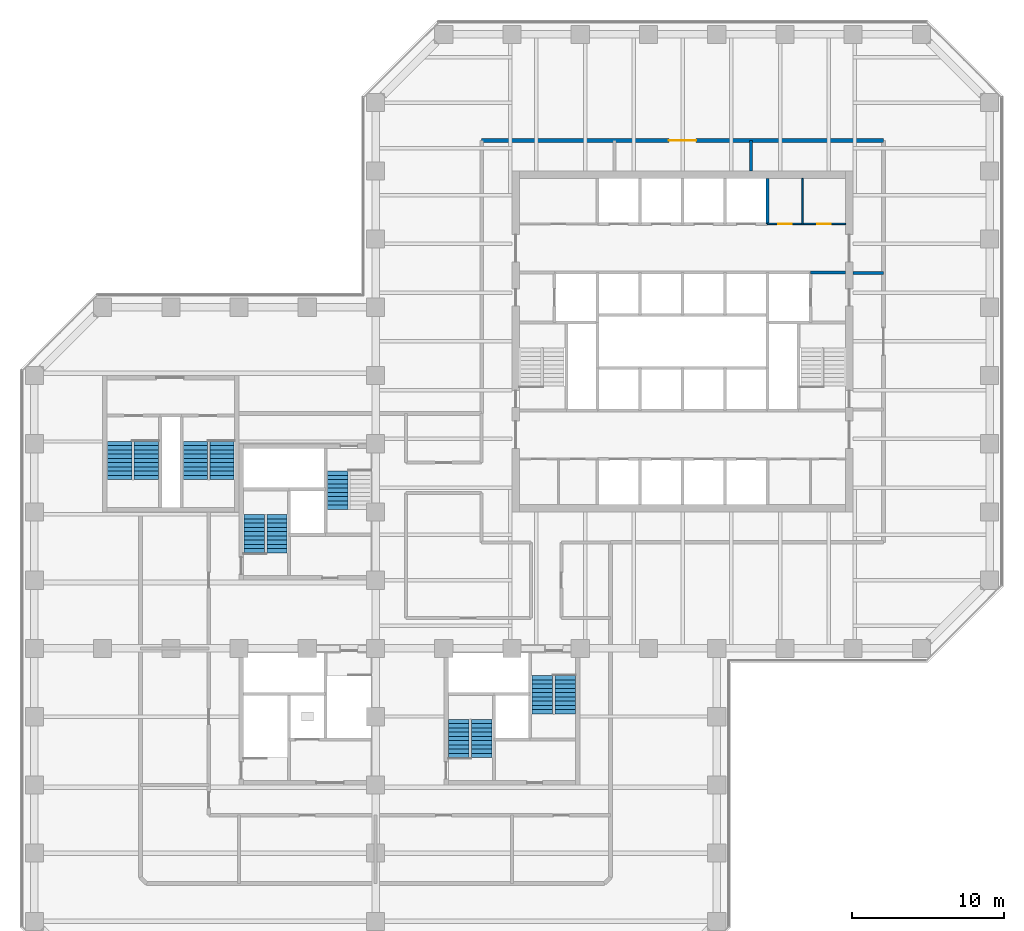
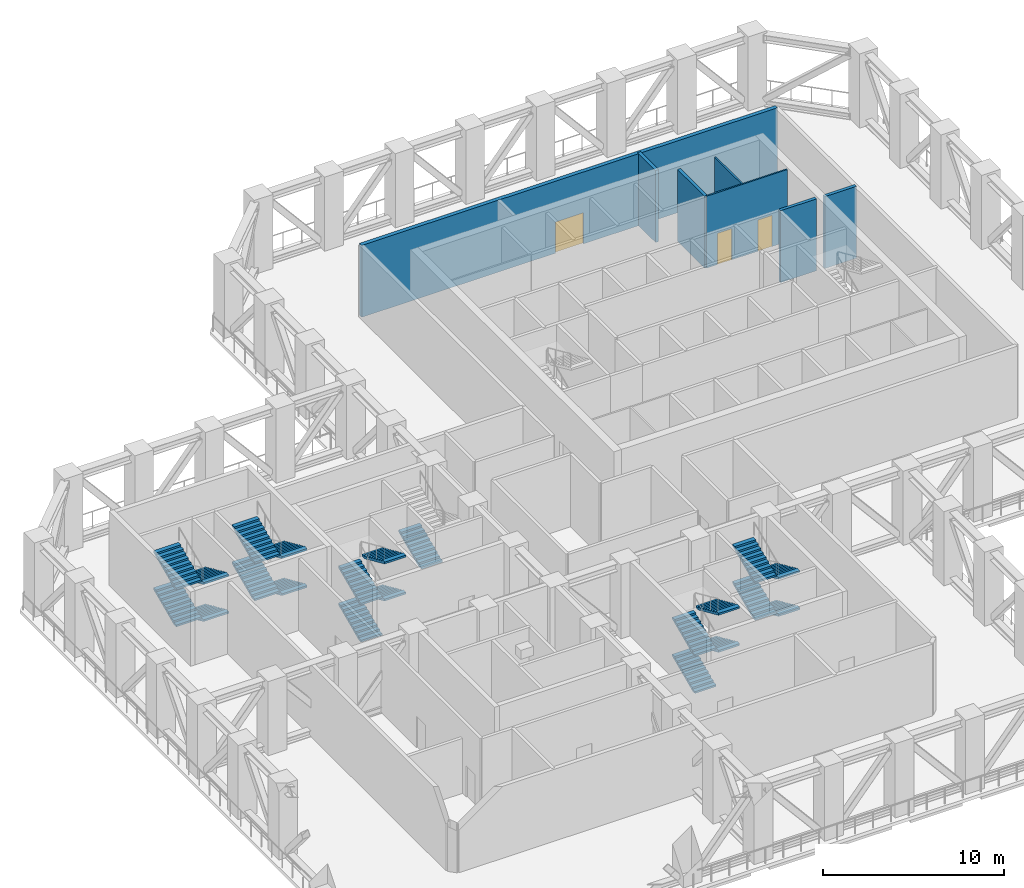
# One storey, part 8 of 16: 21 stair flights, 7 walls, 3 doors, 3 openings, 6 elements without a shape of their own.
"""IFC4 building model written with IfcOpenShell, lengths in metres."""

from ifc_helpers import new_model, si_unit, direction, frame, frame_2d, origin, place, context, subcontext, project, spatial, polyline, rectangle, outline, extrude, material, layer, layer_set, type_object, element, fill, aggregate, save


model = new_model("IFC4")

# Units and contexts
model_context = context("Model", 3, precision=1e-05, world=origin(), true_north=direction((0.0, 1.0)))
body_context = subcontext(model_context, "Body", "Model", "MODEL_VIEW")
ifc_project = project(units=[si_unit("LENGTHUNIT", "METRE"), si_unit("AREAUNIT", "SQUARE_METRE"), si_unit("VOLUMEUNIT", "CUBIC_METRE"), si_unit("PLANEANGLEUNIT", "RADIAN"), si_unit("MASSUNIT", "GRAM", prefix="KILO")], contexts=[model_context])

# Site, building, storey
site_placement = place(None, origin())
site = spatial("IfcSite", under=ifc_project, at=site_placement, CompositionType="ELEMENT")
building_placement = place(site_placement, origin())
building = spatial("IfcBuilding", under=site, at=building_placement, Name="Quoin Convention Tower", CompositionType="ELEMENT")
storey_placement = place(building_placement, frame((0.0, 0.0, 69.300048828125)))
storey = spatial("IfcBuildingStorey", under=building, at=storey_placement, Name="L18", CompositionType="ELEMENT", Elevation=69.300048828125)

# Wall, openings, doors
ifc_material_1 = material(Name="Plasterboard")
ifc_layer_1 = layer(ifc_material_1, 0.012451171875, Name="Finish")
ifc_material_2 = material(Name="Steel stud framing", Category="steel")
ifc_layer_2 = layer(ifc_material_2, 0.074951171875, Name="Structure")
ifc_layer_3 = layer(ifc_material_1, 0.012451171875, Name="Finish")
ifc_layer_set_1 = layer_set([ifc_layer_1, ifc_layer_2, ifc_layer_3], Name="Steel stud framing")
wall_type_1 = type_object("IfcWallType", Name="Core partition wall", PredefinedType="PARTITIONING", material=ifc_layer_set_1)
wall_1_placement = place(storey_placement, frame((61.85009765625, 68.5, 0.0), z_axis=(0.0, 0.0, 1.0), x_axis=(1.0, 0.0, 0.0)))
wall_1 = element("IfcWall", 1, at=wall_1_placement, inside=storey, type_object=wall_type_1, Name="cr-C1-L18-h19000_16850", PredefinedType="PARTITIONING", context=body_context, shape_type="SweptSolid", body=[
    extrude(rectangle(XDim=5.14990234375, YDim=0.10009765625, at=frame_2d((2.574951171875, 0.0))), origin(), (0.0, 0.0, 1.0), 4.849853515625),
])
opening_1_placement = place(wall_1_placement, frame((3.28369140625, 0.0, 0.0)))
opening_1 = element("IfcOpeningElement", 2, at=opening_1_placement, cuts=wall_1, Name="Opening DCV0-08", PredefinedType="OPENING", context=body_context, shape_type="SweptSolid", body=[
    extrude(rectangle(XDim=0.89990234375, YDim=2.10009765625, at=frame_2d((0.449951171875, 1.050048828125))), frame((0.0, 0.06005859375, 0.0), z_axis=(0.0, -1.0, 0.0), x_axis=(1.0, 0.0, 0.0)), (0.0, 0.0, 1.0), 0.1201171875),
])
opening_2_placement = place(wall_1_placement, frame((0.708740234375, 0.0, 0.0)))
opening_2 = element("IfcOpeningElement", 3, at=opening_2_placement, cuts=wall_1, Name="Opening DCV0-05", PredefinedType="OPENING", context=body_context, shape_type="SweptSolid", body=[
    extrude(rectangle(XDim=0.89990234375, YDim=2.10009765625, at=frame_2d((0.449951171875, 1.050048828125))), frame((0.0, 0.06005859375, 0.0), z_axis=(0.0, -1.0, 0.0), x_axis=(1.0, 0.0, 0.0)), (0.0, 0.0, 1.0), 0.1201171875),
])
ifc_material_3 = material(Name="Steel door leaf", Category="steel")
door_type_1 = type_object("IfcDoorType", Name="Core room door 900 x 2100", OperationType="SINGLE_SWING_LEFT", PredefinedType="DOOR", material=ifc_material_3)
door_1_placement = place(opening_1_placement, origin())
door_1 = element("IfcDoor", 4, at=door_1_placement, inside=storey, type_object=door_type_1, Name="cd-C1-L18-CNE0-lobB-CD1807", OperationType="SINGLE_SWING_RIGHT", OverallHeight=2.10009765625, OverallWidth=0.89990234375, PredefinedType="DOOR", context=body_context, shape_type="SweptSolid", body=[
    extrude(rectangle(XDim=0.89990234375, YDim=2.10009765625, at=frame_2d((0.449951171875, 1.050048828125))), frame((0.0, 0.02490234375, 0.0), z_axis=(0.0, -1.0, 0.0), x_axis=(1.0, 0.0, 0.0)), (0.0, 0.0, 1.0), 0.050048828125),
])
fill(opening_1, door_1)
door_2_placement = place(opening_2_placement, origin())
door_2 = element("IfcDoor", 5, at=door_2_placement, inside=storey, type_object=door_type_1, Name="cd-C1-L18-CNE1-lobB-CD1808", OperationType="SINGLE_SWING_LEFT", OverallHeight=2.10009765625, OverallWidth=0.89990234375, PredefinedType="DOOR", context=body_context, shape_type="SweptSolid", body=[
    extrude(rectangle(XDim=0.89990234375, YDim=2.10009765625, at=frame_2d((0.449951171875, 1.050048828125))), frame((0.0, 0.02490234375, 0.0), z_axis=(0.0, -1.0, 0.0), x_axis=(1.0, 0.0, 0.0)), (0.0, 0.0, 1.0), 0.050048828125),
])
fill(opening_2, door_2)

# Walls
wall_2_placement = place(storey_placement, frame((64.16748046875, 68.5, 0.0), z_axis=(0.0, 0.0, 1.0), x_axis=(0.0, 1.0, 0.0)))
element("IfcWall", 6, at=wall_2_placement, inside=storey, type_object=wall_type_1, Name="cr-C1-L18-v19168_19000", PredefinedType="PARTITIONING", context=body_context, shape_type="SweptSolid", body=[
    extrude(rectangle(XDim=3.0, YDim=0.10009765625, at=frame_2d((1.5, 0.0))), origin(), (0.0, 0.0, 1.0), 4.849853515625),
])
ifc_material_4 = material(Name="Concrete C50", Category="concrete")
ifc_layer_4 = layer(ifc_material_4, 0.199951171875)
ifc_layer_set_2 = layer_set([ifc_layer_4], Name="Concrete C50")
wall_type_2 = type_object("IfcWallType", Name="Core shaft wall", PredefinedType="SOLIDWALL", material=ifc_layer_set_2)
wall_3_placement = place(storey_placement, frame((64.699951171875, 65.300048828125, 0.0), z_axis=(0.0, 0.0, 1.0), x_axis=(1.0, 0.0, 0.0)))
element("IfcWall", 7, at=wall_3_placement, inside=storey, type_object=wall_type_2, Name="cr-C1-L18-h15800_19700", PredefinedType="SOLIDWALL", context=body_context, shape_type="SweptSolid", body=[
    extrude(rectangle(XDim=2.300048828125, YDim=0.199951171875, at=frame_2d((1.14990234375, 0.0))), origin(), (0.0, 0.0, 1.0), 4.849853515625),
])
wall_4_placement = place(storey_placement, frame((61.85009765625, 68.5, 0.0), z_axis=(0.0, 0.0, 1.0), x_axis=(0.0, 1.0, 0.0)))
element("IfcWall", 8, at=wall_4_placement, inside=storey, type_object=wall_type_2, Name="cr-C1-L18-v16850_19000", PredefinedType="SOLIDWALL", context=body_context, shape_type="SweptSolid", body=[
    extrude(rectangle(XDim=3.0, YDim=0.199951171875, at=frame_2d((1.5, 0.0))), origin(), (0.0, 0.0, 1.0), 4.849853515625),
])
ifc_layer_5 = layer(ifc_material_1, 0.012451171875, Name="Finish")
ifc_layer_6 = layer(ifc_material_2, 0.175048828125, Name="Structure")
ifc_layer_7 = layer(ifc_material_1, 0.012451171875, Name="Finish")
ifc_layer_set_3 = layer_set([ifc_layer_5, ifc_layer_6, ifc_layer_7], Name="Steel stud framing")
wall_type_3 = type_object("IfcWallType", Name="plant room wall", PredefinedType="PARTITIONING", material=ifc_layer_set_3)
for number, where, z_axis, x_axis, name in (
    (9, (67.5, 65.25, 0.0), (0.0, 0.0, 1.0), (1.0, 0.0, 0.0), "pw-L18-033"),
    (10, (60.75, 72.0, 0.0), (0.0, 0.0, 1.0), (0.0, 1.0, 0.0), "pw-L18-035"),
):
    element("IfcWall", number, at=place(storey_placement, frame(where, z_axis=z_axis, x_axis=x_axis)), inside=storey, type_object=wall_type_3, Name=name, PredefinedType="PARTITIONING", context=body_context, shape_type="SweptSolid", body=[
        extrude(rectangle(XDim=2.0, YDim=0.199951171875, at=frame_2d((1.0, 0.0))), origin(), (0.0, 0.0, 1.0), 4.849853515625),
    ])

# Wall, opening, door
ifc_layer_8 = layer(ifc_material_1, 0.012451171875, Name="Finish")
ifc_layer_9 = layer(ifc_material_2, 0.22509765625, Name="Structure")
ifc_layer_10 = layer(ifc_material_1, 0.012451171875, Name="Finish")
ifc_layer_set_4 = layer_set([ifc_layer_8, ifc_layer_9, ifc_layer_10], Name="Steel stud framing")
wall_type_4 = type_object("IfcWallType", Name="refuge enclosure wall", PredefinedType="PARTITIONING", material=ifc_layer_set_4)
wall_5_placement = place(storey_placement, frame((43.0, 74.0, 0.0), z_axis=(0.0, 0.0, 1.0), x_axis=(1.0, 0.0, 0.0)))
wall_5 = element("IfcWall", 11, at=wall_5_placement, inside=storey, type_object=wall_type_4, Name="pw-L18-011", PredefinedType="PARTITIONING", context=body_context, shape_type="SweptSolid", body=[
    extrude(rectangle(XDim=26.5, YDim=0.25, at=frame_2d((13.25, 0.0))), origin(), (0.0, 0.0, 1.0), 4.849853515625),
])
opening_3_placement = place(wall_5_placement, frame((12.35009765625, 0.0, 0.0)))
opening_3 = element("IfcOpeningElement", 12, at=opening_3_placement, cuts=wall_5, Name="Opening DREFUGE-R1-02", PredefinedType="OPENING", context=body_context, shape_type="SweptSolid", body=[
    extrude(rectangle(XDim=1.800048828125, YDim=2.10009765625, at=frame_2d((0.89990234375, 1.050048828125))), frame((0.0, 0.135009765625, 0.0), z_axis=(0.0, -1.0, 0.0), x_axis=(1.0, 0.0, 0.0)), (0.0, 0.0, 1.0), 0.27001953125),
])
door_type_2 = type_object("IfcDoorType", Name="Refuge door", OperationType="SINGLE_SWING_LEFT", PredefinedType="DOOR", material=ifc_material_3)
door_3_placement = place(opening_3_placement, frame((1.800048828125, 0.0, 0.0), z_axis=(0.0, 0.0, 1.0), x_axis=(-1.0, 0.0, 0.0)))
door_3 = element("IfcDoor", 13, at=door_3_placement, inside=storey, type_object=door_type_2, Name="dr-L18-001", OperationType="SINGLE_SWING_LEFT", OverallHeight=2.10009765625, OverallWidth=1.800048828125, PredefinedType="DOOR", context=body_context, shape_type="SweptSolid", body=[
    extrude(rectangle(XDim=1.800048828125, YDim=2.10009765625, at=frame_2d((0.89990234375, 1.050048828125))), frame((0.0, 0.02490234375, 0.0), z_axis=(0.0, -1.0, 0.0), x_axis=(1.0, 0.0, 0.0)), (0.0, 0.0, 1.0), 0.050048828125),
])
fill(opening_3, door_3)

# Stair, stair flights
ifc_material_5 = material(Name="Concrete C40", Category="concrete")
stair_type_1 = type_object("IfcStairType", Name="Exit stair four-flight 1350", PredefinedType="DOUBLE_RETURN_STAIR", material=ifc_material_5)
stair_1_placement = place(storey_placement, origin())
stair_1 = element("IfcStair", 14, at=stair_1_placement, inside=storey, type_object=stair_type_1, Name="SD3 L18", PredefinedType="DOUBLE_RETURN_STAIR")
stair_flight_type_1 = type_object("IfcStairFlightType", Name="Stair flight 1350", PredefinedType="STRAIGHT", material=ifc_material_5)
stair_flight_1_placement = place(storey_placement, frame((28.0, 46.800048828125, 0.0), z_axis=(0.0, 0.0, 1.0), x_axis=(0.0, 1.0, 0.0)))
stair_flight_1 = element("IfcStairFlight", 15, at=stair_flight_1_placement, type_object=stair_flight_type_1, Name="ST3 flight 1", NumberOfRisers=10, NumberOfTreads=9, PredefinedType="STRAIGHT", RiserHeight=0.125, TreadLength=0.28, context=body_context, shape_type="SweptSolid", body=[
    extrude(outline(polyline([(0.0, 0.0), (0.0, 0.125), (0.280029296875, 0.125), (0.280029296875, 0.25), (0.56005859375, 0.25), (0.56005859375, 0.375), (0.840087890625, 0.375), (0.840087890625, 0.5), (1.1201171875, 0.5), (1.1201171875, 0.625), (1.39990234375, 0.625), (1.39990234375, 0.75), (1.679931640625, 0.75), (1.679931640625, 0.875), (1.9599609375, 0.875), (1.9599609375, 1.0), (2.239990234375, 1.0), (2.239990234375, 1.125), (2.52001953125, 1.125), (2.52001953125, 1.25), (2.52001953125, 0.993408203125), (0.294677734375, 0.0), (0.0, 0.0)])), frame((0.0, 0.675048828125, 0.0), z_axis=(0.0, -1.0, 0.0), x_axis=(1.0, 0.0, 0.0)), (0.0, 0.0, 1.0), 1.35009765625),
])
stair_flight_2_placement = place(storey_placement, frame((29.5, 49.320068359375, 1.25), z_axis=(0.0, 0.0, 1.0), x_axis=(0.0, -1.0, 0.0)))
stair_flight_2 = element("IfcStairFlight", 16, at=stair_flight_2_placement, type_object=stair_flight_type_1, Name="ST3 flight 2", NumberOfRisers=10, NumberOfTreads=9, PredefinedType="STRAIGHT", RiserHeight=0.125, TreadLength=0.28, context=body_context, shape_type="SweptSolid", body=[
    extrude(outline(polyline([(0.0, 0.0), (0.0, 0.125), (0.280029296875, 0.125), (0.280029296875, 0.25), (0.56005859375, 0.25), (0.56005859375, 0.375), (0.840087890625, 0.375), (0.840087890625, 0.5), (1.1201171875, 0.5), (1.1201171875, 0.625), (1.39990234375, 0.625), (1.39990234375, 0.75), (1.679931640625, 0.75), (1.679931640625, 0.875), (1.9599609375, 0.875), (1.9599609375, 1.0), (2.239990234375, 1.0), (2.239990234375, 1.125), (2.52001953125, 1.125), (2.52001953125, 1.25), (2.52001953125, 0.993408203125), (0.294677734375, 0.0), (0.0, 0.0)])), frame((0.0, 0.675048828125, 0.0), z_axis=(0.0, -1.0, 0.0), x_axis=(1.0, 0.0, 0.0)), (0.0, 0.0, 1.0), 1.35009765625),
])
stair_flight_3_placement = place(storey_placement, frame((28.0, 46.800048828125, 2.5), z_axis=(0.0, 0.0, 1.0), x_axis=(0.0, 1.0, 0.0)))
stair_flight_3 = element("IfcStairFlight", 17, at=stair_flight_3_placement, type_object=stair_flight_type_1, Name="ST3 flight 3", NumberOfRisers=10, NumberOfTreads=9, PredefinedType="STRAIGHT", RiserHeight=0.125, TreadLength=0.28, context=body_context, shape_type="SweptSolid", body=[
    extrude(outline(polyline([(0.0, 0.0), (0.0, 0.125), (0.280029296875, 0.125), (0.280029296875, 0.25), (0.56005859375, 0.25), (0.56005859375, 0.375), (0.840087890625, 0.375), (0.840087890625, 0.5), (1.1201171875, 0.5), (1.1201171875, 0.625), (1.39990234375, 0.625), (1.39990234375, 0.75), (1.679931640625, 0.75), (1.679931640625, 0.875), (1.9599609375, 0.875), (1.9599609375, 1.0), (2.239990234375, 1.0), (2.239990234375, 1.125), (2.52001953125, 1.125), (2.52001953125, 1.25), (2.52001953125, 0.993408203125), (0.294677734375, 0.0), (0.0, 0.0)])), frame((0.0, 0.675048828125, 0.0), z_axis=(0.0, -1.0, 0.0), x_axis=(1.0, 0.0, 0.0)), (0.0, 0.0, 1.0), 1.35009765625),
])
stair_flight_4_placement = place(storey_placement, frame((29.5, 49.320068359375, 3.75), z_axis=(0.0, 0.0, 1.0), x_axis=(0.0, -1.0, 0.0)))
stair_flight_4 = element("IfcStairFlight", 18, at=stair_flight_4_placement, type_object=stair_flight_type_1, Name="ST3 flight 4", NumberOfRisers=10, NumberOfTreads=9, PredefinedType="STRAIGHT", RiserHeight=0.125, TreadLength=0.28, context=body_context, shape_type="SweptSolid", body=[
    extrude(outline(polyline([(0.0, 0.0), (0.0, 0.125), (0.280029296875, 0.125), (0.280029296875, 0.25), (0.56005859375, 0.25), (0.56005859375, 0.375), (0.840087890625, 0.375), (0.840087890625, 0.5), (1.1201171875, 0.5), (1.1201171875, 0.625), (1.39990234375, 0.625), (1.39990234375, 0.75), (1.679931640625, 0.75), (1.679931640625, 0.875), (1.9599609375, 0.875), (1.9599609375, 1.0), (2.239990234375, 1.0), (2.239990234375, 1.125), (2.52001953125, 1.125), (2.52001953125, 1.25), (2.52001953125, 0.993408203125), (0.294677734375, 0.0), (0.0, 0.0)])), frame((0.0, 0.675048828125, 0.0), z_axis=(0.0, -1.0, 0.0), x_axis=(1.0, 0.0, 0.0)), (0.0, 0.0, 1.0), 1.35009765625),
])
aggregate(stair_1, [stair_flight_1, stair_flight_2, stair_flight_3, stair_flight_4])

# Stair, stair flight
stair_2_placement = place(storey_placement, origin())
stair_2 = element("IfcStair", 19, at=stair_2_placement, inside=storey, type_object=stair_type_1, Name="SD4 L18", PredefinedType="DOUBLE_RETURN_STAIR")
stair_flight_5_placement = place(storey_placement, frame((33.5, 49.679931640625, 1.25), z_axis=(0.0, 0.0, 1.0), x_axis=(0.0, 1.0, 0.0)))
stair_flight_5 = element("IfcStairFlight", 20, at=stair_flight_5_placement, type_object=stair_flight_type_1, Name="ST4 flight 2", NumberOfRisers=10, NumberOfTreads=9, PredefinedType="STRAIGHT", RiserHeight=0.125, TreadLength=0.28, context=body_context, shape_type="SweptSolid", body=[
    extrude(outline(polyline([(0.0, 0.0), (0.0, 0.125), (0.280029296875, 0.125), (0.280029296875, 0.25), (0.56005859375, 0.25), (0.56005859375, 0.375), (0.840087890625, 0.375), (0.840087890625, 0.5), (1.1201171875, 0.5), (1.1201171875, 0.625), (1.39990234375, 0.625), (1.39990234375, 0.75), (1.679931640625, 0.75), (1.679931640625, 0.875), (1.9599609375, 0.875), (1.9599609375, 1.0), (2.239990234375, 1.0), (2.239990234375, 1.125), (2.52001953125, 1.125), (2.52001953125, 1.25), (2.52001953125, 0.993408203125), (0.294677734375, 0.0), (0.0, 0.0)])), frame((0.0, 0.675048828125, 0.0), z_axis=(0.0, -1.0, 0.0), x_axis=(1.0, 0.0, 0.0)), (0.0, 0.0, 1.0), 1.35009765625),
])
aggregate(stair_2, [stair_flight_5])

# Stair, stair flights
stair_3_placement = place(storey_placement, origin())
stair_3 = element("IfcStair", 21, at=stair_3_placement, inside=storey, type_object=stair_type_1, Name="SD5 L18", PredefinedType="DOUBLE_RETURN_STAIR")
stair_flight_6_placement = place(storey_placement, frame((41.5, 33.300048828125, 0.0), z_axis=(0.0, 0.0, 1.0), x_axis=(0.0, 1.0, 0.0)))
stair_flight_6 = element("IfcStairFlight", 22, at=stair_flight_6_placement, type_object=stair_flight_type_1, Name="ST5 flight 1", NumberOfRisers=10, NumberOfTreads=9, PredefinedType="STRAIGHT", RiserHeight=0.125, TreadLength=0.28, context=body_context, shape_type="SweptSolid", body=[
    extrude(outline(polyline([(0.0, 0.0), (0.0, 0.125), (0.280029296875, 0.125), (0.280029296875, 0.25), (0.56005859375, 0.25), (0.56005859375, 0.375), (0.840087890625, 0.375), (0.840087890625, 0.5), (1.1201171875, 0.5), (1.1201171875, 0.625), (1.39990234375, 0.625), (1.39990234375, 0.75), (1.679931640625, 0.75), (1.679931640625, 0.875), (1.9599609375, 0.875), (1.9599609375, 1.0), (2.239990234375, 1.0), (2.239990234375, 1.125), (2.52001953125, 1.125), (2.52001953125, 1.25), (2.52001953125, 0.993408203125), (0.294677734375, 0.0), (0.0, 0.0)])), frame((0.0, 0.675048828125, 0.0), z_axis=(0.0, -1.0, 0.0), x_axis=(1.0, 0.0, 0.0)), (0.0, 0.0, 1.0), 1.35009765625),
])
stair_flight_7_placement = place(storey_placement, frame((43.0, 35.820068359375, 1.25), z_axis=(0.0, 0.0, 1.0), x_axis=(0.0, -1.0, 0.0)))
stair_flight_7 = element("IfcStairFlight", 23, at=stair_flight_7_placement, type_object=stair_flight_type_1, Name="ST5 flight 2", NumberOfRisers=10, NumberOfTreads=9, PredefinedType="STRAIGHT", RiserHeight=0.125, TreadLength=0.28, context=body_context, shape_type="SweptSolid", body=[
    extrude(outline(polyline([(0.0, 0.0), (0.0, 0.125), (0.280029296875, 0.125), (0.280029296875, 0.25), (0.56005859375, 0.25), (0.56005859375, 0.375), (0.840087890625, 0.375), (0.840087890625, 0.5), (1.1201171875, 0.5), (1.1201171875, 0.625), (1.39990234375, 0.625), (1.39990234375, 0.75), (1.679931640625, 0.75), (1.679931640625, 0.875), (1.9599609375, 0.875), (1.9599609375, 1.0), (2.239990234375, 1.0), (2.239990234375, 1.125), (2.52001953125, 1.125), (2.52001953125, 1.25), (2.52001953125, 0.993408203125), (0.294677734375, 0.0), (0.0, 0.0)])), frame((0.0, 0.675048828125, 0.0), z_axis=(0.0, -1.0, 0.0), x_axis=(1.0, 0.0, 0.0)), (0.0, 0.0, 1.0), 1.35009765625),
])
stair_flight_8_placement = place(storey_placement, frame((41.5, 33.300048828125, 2.5), z_axis=(0.0, 0.0, 1.0), x_axis=(0.0, 1.0, 0.0)))
stair_flight_8 = element("IfcStairFlight", 24, at=stair_flight_8_placement, type_object=stair_flight_type_1, Name="ST5 flight 3", NumberOfRisers=10, NumberOfTreads=9, PredefinedType="STRAIGHT", RiserHeight=0.125, TreadLength=0.28, context=body_context, shape_type="SweptSolid", body=[
    extrude(outline(polyline([(0.0, 0.0), (0.0, 0.125), (0.280029296875, 0.125), (0.280029296875, 0.25), (0.56005859375, 0.25), (0.56005859375, 0.375), (0.840087890625, 0.375), (0.840087890625, 0.5), (1.1201171875, 0.5), (1.1201171875, 0.625), (1.39990234375, 0.625), (1.39990234375, 0.75), (1.679931640625, 0.75), (1.679931640625, 0.875), (1.9599609375, 0.875), (1.9599609375, 1.0), (2.239990234375, 1.0), (2.239990234375, 1.125), (2.52001953125, 1.125), (2.52001953125, 1.25), (2.52001953125, 0.993408203125), (0.294677734375, 0.0), (0.0, 0.0)])), frame((0.0, 0.675048828125, 0.0), z_axis=(0.0, -1.0, 0.0), x_axis=(1.0, 0.0, 0.0)), (0.0, 0.0, 1.0), 1.35009765625),
])
stair_flight_9_placement = place(storey_placement, frame((43.0, 35.820068359375, 3.75), z_axis=(0.0, 0.0, 1.0), x_axis=(0.0, -1.0, 0.0)))
stair_flight_9 = element("IfcStairFlight", 25, at=stair_flight_9_placement, type_object=stair_flight_type_1, Name="ST5 flight 4", NumberOfRisers=10, NumberOfTreads=9, PredefinedType="STRAIGHT", RiserHeight=0.125, TreadLength=0.28, context=body_context, shape_type="SweptSolid", body=[
    extrude(outline(polyline([(0.0, 0.0), (0.0, 0.125), (0.280029296875, 0.125), (0.280029296875, 0.25), (0.56005859375, 0.25), (0.56005859375, 0.375), (0.840087890625, 0.375), (0.840087890625, 0.5), (1.1201171875, 0.5), (1.1201171875, 0.625), (1.39990234375, 0.625), (1.39990234375, 0.75), (1.679931640625, 0.75), (1.679931640625, 0.875), (1.9599609375, 0.875), (1.9599609375, 1.0), (2.239990234375, 1.0), (2.239990234375, 1.125), (2.52001953125, 1.125), (2.52001953125, 1.25), (2.52001953125, 0.993408203125), (0.294677734375, 0.0), (0.0, 0.0)])), frame((0.0, 0.675048828125, 0.0), z_axis=(0.0, -1.0, 0.0), x_axis=(1.0, 0.0, 0.0)), (0.0, 0.0, 1.0), 1.35009765625),
])
aggregate(stair_3, [stair_flight_6, stair_flight_7, stair_flight_8, stair_flight_9])

stair_4_placement = place(storey_placement, origin())
stair_4 = element("IfcStair", 26, at=stair_4_placement, inside=storey, type_object=stair_type_1, Name="SD6 L18", PredefinedType="DOUBLE_RETURN_STAIR")
stair_flight_10_placement = place(storey_placement, frame((48.5, 38.699951171875, 0.0), z_axis=(0.0, 0.0, 1.0), x_axis=(0.0, -1.0, 0.0)))
stair_flight_10 = element("IfcStairFlight", 27, at=stair_flight_10_placement, type_object=stair_flight_type_1, Name="ST6 flight 1", NumberOfRisers=10, NumberOfTreads=9, PredefinedType="STRAIGHT", RiserHeight=0.125, TreadLength=0.28, context=body_context, shape_type="SweptSolid", body=[
    extrude(outline(polyline([(0.0, 0.0), (0.0, 0.125), (0.280029296875, 0.125), (0.280029296875, 0.25), (0.56005859375, 0.25), (0.56005859375, 0.375), (0.840087890625, 0.375), (0.840087890625, 0.5), (1.1201171875, 0.5), (1.1201171875, 0.625), (1.39990234375, 0.625), (1.39990234375, 0.75), (1.679931640625, 0.75), (1.679931640625, 0.875), (1.9599609375, 0.875), (1.9599609375, 1.0), (2.239990234375, 1.0), (2.239990234375, 1.125), (2.52001953125, 1.125), (2.52001953125, 1.25), (2.52001953125, 0.993408203125), (0.294677734375, 0.0), (0.0, 0.0)])), frame((0.0, 0.675048828125, 0.0), z_axis=(0.0, -1.0, 0.0), x_axis=(1.0, 0.0, 0.0)), (0.0, 0.0, 1.0), 1.35009765625),
])
stair_flight_11_placement = place(storey_placement, frame((47.0, 36.179931640625, 1.25), z_axis=(0.0, 0.0, 1.0), x_axis=(0.0, 1.0, 0.0)))
stair_flight_11 = element("IfcStairFlight", 28, at=stair_flight_11_placement, type_object=stair_flight_type_1, Name="ST6 flight 2", NumberOfRisers=10, NumberOfTreads=9, PredefinedType="STRAIGHT", RiserHeight=0.125, TreadLength=0.28, context=body_context, shape_type="SweptSolid", body=[
    extrude(outline(polyline([(0.0, 0.0), (0.0, 0.125), (0.280029296875, 0.125), (0.280029296875, 0.25), (0.56005859375, 0.25), (0.56005859375, 0.375), (0.840087890625, 0.375), (0.840087890625, 0.5), (1.1201171875, 0.5), (1.1201171875, 0.625), (1.39990234375, 0.625), (1.39990234375, 0.75), (1.679931640625, 0.75), (1.679931640625, 0.875), (1.9599609375, 0.875), (1.9599609375, 1.0), (2.239990234375, 1.0), (2.239990234375, 1.125), (2.52001953125, 1.125), (2.52001953125, 1.25), (2.52001953125, 0.993408203125), (0.294677734375, 0.0), (0.0, 0.0)])), frame((0.0, 0.675048828125, 0.0), z_axis=(0.0, -1.0, 0.0), x_axis=(1.0, 0.0, 0.0)), (0.0, 0.0, 1.0), 1.35009765625),
])
stair_flight_12_placement = place(storey_placement, frame((48.5, 38.699951171875, 2.5), z_axis=(0.0, 0.0, 1.0), x_axis=(0.0, -1.0, 0.0)))
stair_flight_12 = element("IfcStairFlight", 29, at=stair_flight_12_placement, type_object=stair_flight_type_1, Name="ST6 flight 3", NumberOfRisers=10, NumberOfTreads=9, PredefinedType="STRAIGHT", RiserHeight=0.125, TreadLength=0.28, context=body_context, shape_type="SweptSolid", body=[
    extrude(outline(polyline([(0.0, 0.0), (0.0, 0.125), (0.280029296875, 0.125), (0.280029296875, 0.25), (0.56005859375, 0.25), (0.56005859375, 0.375), (0.840087890625, 0.375), (0.840087890625, 0.5), (1.1201171875, 0.5), (1.1201171875, 0.625), (1.39990234375, 0.625), (1.39990234375, 0.75), (1.679931640625, 0.75), (1.679931640625, 0.875), (1.9599609375, 0.875), (1.9599609375, 1.0), (2.239990234375, 1.0), (2.239990234375, 1.125), (2.52001953125, 1.125), (2.52001953125, 1.25), (2.52001953125, 0.993408203125), (0.294677734375, 0.0), (0.0, 0.0)])), frame((0.0, 0.675048828125, 0.0), z_axis=(0.0, -1.0, 0.0), x_axis=(1.0, 0.0, 0.0)), (0.0, 0.0, 1.0), 1.35009765625),
])
stair_flight_13_placement = place(storey_placement, frame((47.0, 36.179931640625, 3.75), z_axis=(0.0, 0.0, 1.0), x_axis=(0.0, 1.0, 0.0)))
stair_flight_13 = element("IfcStairFlight", 30, at=stair_flight_13_placement, type_object=stair_flight_type_1, Name="ST6 flight 4", NumberOfRisers=10, NumberOfTreads=9, PredefinedType="STRAIGHT", RiserHeight=0.125, TreadLength=0.28, context=body_context, shape_type="SweptSolid", body=[
    extrude(outline(polyline([(0.0, 0.0), (0.0, 0.125), (0.280029296875, 0.125), (0.280029296875, 0.25), (0.56005859375, 0.25), (0.56005859375, 0.375), (0.840087890625, 0.375), (0.840087890625, 0.5), (1.1201171875, 0.5), (1.1201171875, 0.625), (1.39990234375, 0.625), (1.39990234375, 0.75), (1.679931640625, 0.75), (1.679931640625, 0.875), (1.9599609375, 0.875), (1.9599609375, 1.0), (2.239990234375, 1.0), (2.239990234375, 1.125), (2.52001953125, 1.125), (2.52001953125, 1.25), (2.52001953125, 0.993408203125), (0.294677734375, 0.0), (0.0, 0.0)])), frame((0.0, 0.675048828125, 0.0), z_axis=(0.0, -1.0, 0.0), x_axis=(1.0, 0.0, 0.0)), (0.0, 0.0, 1.0), 1.35009765625),
])
aggregate(stair_4, [stair_flight_10, stair_flight_11, stair_flight_12, stair_flight_13])

stair_type_2 = type_object("IfcStairType", Name="Exit stair four-flight 1600", PredefinedType="DOUBLE_RETURN_STAIR", material=ifc_material_5)
stair_5_placement = place(storey_placement, origin())
stair_5 = element("IfcStair", 31, at=stair_5_placement, inside=storey, type_object=stair_type_2, Name="SD11 L18", PredefinedType="DOUBLE_RETURN_STAIR")
stair_flight_type_2 = type_object("IfcStairFlightType", Name="Stair flight 1600", PredefinedType="STRAIGHT", material=ifc_material_5)
stair_flight_14_placement = place(storey_placement, frame((20.875, 54.14990234375, 0.0), z_axis=(0.0, 0.0, 1.0), x_axis=(0.0, -1.0, 0.0)))
stair_flight_14 = element("IfcStairFlight", 32, at=stair_flight_14_placement, type_object=stair_flight_type_2, Name="ST11 flight 1", NumberOfRisers=10, NumberOfTreads=9, PredefinedType="STRAIGHT", RiserHeight=0.125, TreadLength=0.28, context=body_context, shape_type="SweptSolid", body=[
    extrude(outline(polyline([(0.0, 0.0), (0.0, 0.125), (0.280029296875, 0.125), (0.280029296875, 0.25), (0.56005859375, 0.25), (0.56005859375, 0.375), (0.840087890625, 0.375), (0.840087890625, 0.5), (1.1201171875, 0.5), (1.1201171875, 0.625), (1.39990234375, 0.625), (1.39990234375, 0.75), (1.679931640625, 0.75), (1.679931640625, 0.875), (1.9599609375, 0.875), (1.9599609375, 1.0), (2.239990234375, 1.0), (2.239990234375, 1.125), (2.52001953125, 1.125), (2.52001953125, 1.25), (2.52001953125, 0.993408203125), (0.294677734375, 0.0), (0.0, 0.0)])), frame((0.0, 0.800048828125, 0.0), z_axis=(0.0, -1.0, 0.0), x_axis=(1.0, 0.0, 0.0)), (0.0, 0.0, 1.0), 1.60009765625),
])
stair_flight_15_placement = place(storey_placement, frame((19.125, 51.6298828125, 1.25), z_axis=(0.0, 0.0, 1.0), x_axis=(0.0, 1.0, 0.0)))
stair_flight_15 = element("IfcStairFlight", 33, at=stair_flight_15_placement, type_object=stair_flight_type_2, Name="ST11 flight 2", NumberOfRisers=10, NumberOfTreads=9, PredefinedType="STRAIGHT", RiserHeight=0.125, TreadLength=0.28, context=body_context, shape_type="SweptSolid", body=[
    extrude(outline(polyline([(0.0, 0.0), (0.0, 0.125), (0.280029296875, 0.125), (0.280029296875, 0.25), (0.56005859375, 0.25), (0.56005859375, 0.375), (0.840087890625, 0.375), (0.840087890625, 0.5), (1.1201171875, 0.5), (1.1201171875, 0.625), (1.39990234375, 0.625), (1.39990234375, 0.75), (1.679931640625, 0.75), (1.679931640625, 0.875), (1.9599609375, 0.875), (1.9599609375, 1.0), (2.239990234375, 1.0), (2.239990234375, 1.125), (2.52001953125, 1.125), (2.52001953125, 1.25), (2.52001953125, 0.993408203125), (0.294677734375, 0.0), (0.0, 0.0)])), frame((0.0, 0.800048828125, 0.0), z_axis=(0.0, -1.0, 0.0), x_axis=(1.0, 0.0, 0.0)), (0.0, 0.0, 1.0), 1.60009765625),
])
stair_flight_16_placement = place(storey_placement, frame((20.875, 54.14990234375, 2.5), z_axis=(0.0, 0.0, 1.0), x_axis=(0.0, -1.0, 0.0)))
stair_flight_16 = element("IfcStairFlight", 34, at=stair_flight_16_placement, type_object=stair_flight_type_2, Name="ST11 flight 3", NumberOfRisers=10, NumberOfTreads=9, PredefinedType="STRAIGHT", RiserHeight=0.125, TreadLength=0.28, context=body_context, shape_type="SweptSolid", body=[
    extrude(outline(polyline([(0.0, 0.0), (0.0, 0.125), (0.280029296875, 0.125), (0.280029296875, 0.25), (0.56005859375, 0.25), (0.56005859375, 0.375), (0.840087890625, 0.375), (0.840087890625, 0.5), (1.1201171875, 0.5), (1.1201171875, 0.625), (1.39990234375, 0.625), (1.39990234375, 0.75), (1.679931640625, 0.75), (1.679931640625, 0.875), (1.9599609375, 0.875), (1.9599609375, 1.0), (2.239990234375, 1.0), (2.239990234375, 1.125), (2.52001953125, 1.125), (2.52001953125, 1.25), (2.52001953125, 0.993408203125), (0.294677734375, 0.0), (0.0, 0.0)])), frame((0.0, 0.800048828125, 0.0), z_axis=(0.0, -1.0, 0.0), x_axis=(1.0, 0.0, 0.0)), (0.0, 0.0, 1.0), 1.60009765625),
])
stair_flight_17_placement = place(storey_placement, frame((19.125, 51.6298828125, 3.75), z_axis=(0.0, 0.0, 1.0), x_axis=(0.0, 1.0, 0.0)))
stair_flight_17 = element("IfcStairFlight", 35, at=stair_flight_17_placement, type_object=stair_flight_type_2, Name="ST11 flight 4", NumberOfRisers=10, NumberOfTreads=9, PredefinedType="STRAIGHT", RiserHeight=0.125, TreadLength=0.28, context=body_context, shape_type="SweptSolid", body=[
    extrude(outline(polyline([(0.0, 0.0), (0.0, 0.125), (0.280029296875, 0.125), (0.280029296875, 0.25), (0.56005859375, 0.25), (0.56005859375, 0.375), (0.840087890625, 0.375), (0.840087890625, 0.5), (1.1201171875, 0.5), (1.1201171875, 0.625), (1.39990234375, 0.625), (1.39990234375, 0.75), (1.679931640625, 0.75), (1.679931640625, 0.875), (1.9599609375, 0.875), (1.9599609375, 1.0), (2.239990234375, 1.0), (2.239990234375, 1.125), (2.52001953125, 1.125), (2.52001953125, 1.25), (2.52001953125, 0.993408203125), (0.294677734375, 0.0), (0.0, 0.0)])), frame((0.0, 0.800048828125, 0.0), z_axis=(0.0, -1.0, 0.0), x_axis=(1.0, 0.0, 0.0)), (0.0, 0.0, 1.0), 1.60009765625),
])
aggregate(stair_5, [stair_flight_14, stair_flight_15, stair_flight_16, stair_flight_17])

stair_6_placement = place(storey_placement, origin())
stair_6 = element("IfcStair", 36, at=stair_6_placement, inside=storey, type_object=stair_type_2, Name="SD12 L18", PredefinedType="DOUBLE_RETURN_STAIR")
stair_flight_18_placement = place(storey_placement, frame((25.875, 54.14990234375, 0.0), z_axis=(0.0, 0.0, 1.0), x_axis=(0.0, -1.0, 0.0)))
stair_flight_18 = element("IfcStairFlight", 37, at=stair_flight_18_placement, type_object=stair_flight_type_2, Name="ST12 flight 1", NumberOfRisers=10, NumberOfTreads=9, PredefinedType="STRAIGHT", RiserHeight=0.125, TreadLength=0.28, context=body_context, shape_type="SweptSolid", body=[
    extrude(outline(polyline([(0.0, 0.0), (0.0, 0.125), (0.280029296875, 0.125), (0.280029296875, 0.25), (0.56005859375, 0.25), (0.56005859375, 0.375), (0.840087890625, 0.375), (0.840087890625, 0.5), (1.1201171875, 0.5), (1.1201171875, 0.625), (1.39990234375, 0.625), (1.39990234375, 0.75), (1.679931640625, 0.75), (1.679931640625, 0.875), (1.9599609375, 0.875), (1.9599609375, 1.0), (2.239990234375, 1.0), (2.239990234375, 1.125), (2.52001953125, 1.125), (2.52001953125, 1.25), (2.52001953125, 0.993408203125), (0.294677734375, 0.0), (0.0, 0.0)])), frame((0.0, 0.800048828125, 0.0), z_axis=(0.0, -1.0, 0.0), x_axis=(1.0, 0.0, 0.0)), (0.0, 0.0, 1.0), 1.60009765625),
])
stair_flight_19_placement = place(storey_placement, frame((24.125, 51.6298828125, 1.25), z_axis=(0.0, 0.0, 1.0), x_axis=(0.0, 1.0, 0.0)))
stair_flight_19 = element("IfcStairFlight", 38, at=stair_flight_19_placement, type_object=stair_flight_type_2, Name="ST12 flight 2", NumberOfRisers=10, NumberOfTreads=9, PredefinedType="STRAIGHT", RiserHeight=0.125, TreadLength=0.28, context=body_context, shape_type="SweptSolid", body=[
    extrude(outline(polyline([(0.0, 0.0), (0.0, 0.125), (0.280029296875, 0.125), (0.280029296875, 0.25), (0.56005859375, 0.25), (0.56005859375, 0.375), (0.840087890625, 0.375), (0.840087890625, 0.5), (1.1201171875, 0.5), (1.1201171875, 0.625), (1.39990234375, 0.625), (1.39990234375, 0.75), (1.679931640625, 0.75), (1.679931640625, 0.875), (1.9599609375, 0.875), (1.9599609375, 1.0), (2.239990234375, 1.0), (2.239990234375, 1.125), (2.52001953125, 1.125), (2.52001953125, 1.25), (2.52001953125, 0.993408203125), (0.294677734375, 0.0), (0.0, 0.0)])), frame((0.0, 0.800048828125, 0.0), z_axis=(0.0, -1.0, 0.0), x_axis=(1.0, 0.0, 0.0)), (0.0, 0.0, 1.0), 1.60009765625),
])
stair_flight_20_placement = place(storey_placement, frame((25.875, 54.14990234375, 2.5), z_axis=(0.0, 0.0, 1.0), x_axis=(0.0, -1.0, 0.0)))
stair_flight_20 = element("IfcStairFlight", 39, at=stair_flight_20_placement, type_object=stair_flight_type_2, Name="ST12 flight 3", NumberOfRisers=10, NumberOfTreads=9, PredefinedType="STRAIGHT", RiserHeight=0.125, TreadLength=0.28, context=body_context, shape_type="SweptSolid", body=[
    extrude(outline(polyline([(0.0, 0.0), (0.0, 0.125), (0.280029296875, 0.125), (0.280029296875, 0.25), (0.56005859375, 0.25), (0.56005859375, 0.375), (0.840087890625, 0.375), (0.840087890625, 0.5), (1.1201171875, 0.5), (1.1201171875, 0.625), (1.39990234375, 0.625), (1.39990234375, 0.75), (1.679931640625, 0.75), (1.679931640625, 0.875), (1.9599609375, 0.875), (1.9599609375, 1.0), (2.239990234375, 1.0), (2.239990234375, 1.125), (2.52001953125, 1.125), (2.52001953125, 1.25), (2.52001953125, 0.993408203125), (0.294677734375, 0.0), (0.0, 0.0)])), frame((0.0, 0.800048828125, 0.0), z_axis=(0.0, -1.0, 0.0), x_axis=(1.0, 0.0, 0.0)), (0.0, 0.0, 1.0), 1.60009765625),
])
stair_flight_21_placement = place(storey_placement, frame((24.125, 51.6298828125, 3.75), z_axis=(0.0, 0.0, 1.0), x_axis=(0.0, 1.0, 0.0)))
stair_flight_21 = element("IfcStairFlight", 40, at=stair_flight_21_placement, type_object=stair_flight_type_2, Name="ST12 flight 4", NumberOfRisers=10, NumberOfTreads=9, PredefinedType="STRAIGHT", RiserHeight=0.125, TreadLength=0.28, context=body_context, shape_type="SweptSolid", body=[
    extrude(outline(polyline([(0.0, 0.0), (0.0, 0.125), (0.280029296875, 0.125), (0.280029296875, 0.25), (0.56005859375, 0.25), (0.56005859375, 0.375), (0.840087890625, 0.375), (0.840087890625, 0.5), (1.1201171875, 0.5), (1.1201171875, 0.625), (1.39990234375, 0.625), (1.39990234375, 0.75), (1.679931640625, 0.75), (1.679931640625, 0.875), (1.9599609375, 0.875), (1.9599609375, 1.0), (2.239990234375, 1.0), (2.239990234375, 1.125), (2.52001953125, 1.125), (2.52001953125, 1.25), (2.52001953125, 0.993408203125), (0.294677734375, 0.0), (0.0, 0.0)])), frame((0.0, 0.800048828125, 0.0), z_axis=(0.0, -1.0, 0.0), x_axis=(1.0, 0.0, 0.0)), (0.0, 0.0, 1.0), 1.60009765625),
])
aggregate(stair_6, [stair_flight_18, stair_flight_19, stair_flight_20, stair_flight_21])

save(model, "model.ifc")
